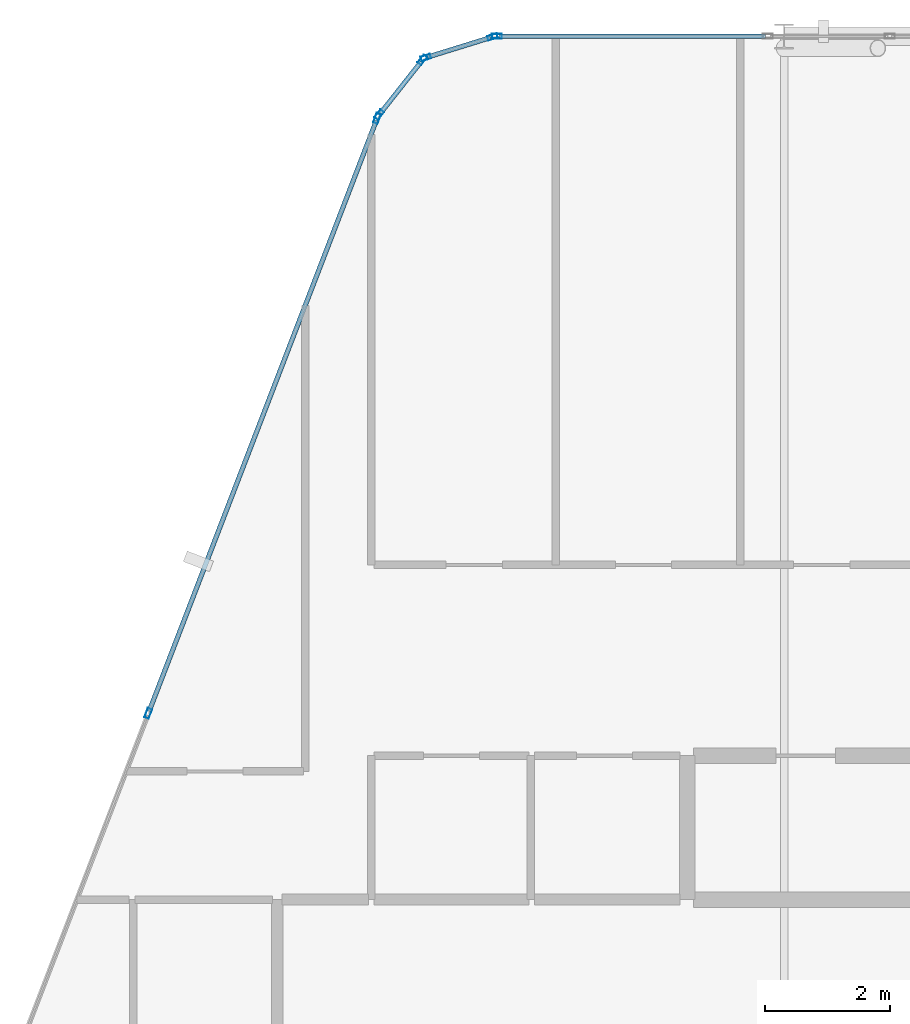
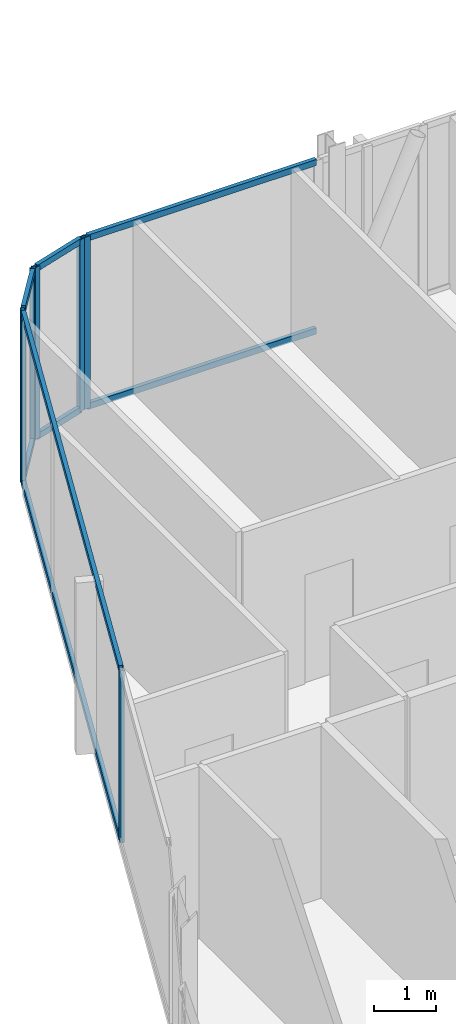
# One storey, part 15 of 27: 15 members, 4 elements without a shape of their own.
"""IFC4 building model written with IfcOpenShell, lengths in metres."""

import ifcopenshell
import ifcopenshell.guid

model = None  # the IFC model being written
_history = None  # IfcOwnerHistory: only IFC2X3 demands one
_inside = {}  # id of a spatial element -> (the spatial element, [elements in it])
_under = {}  # id of a project, library or spatial element -> (it, [spatial elements below it])
_declared = {}  # id of a project -> (the project, [libraries it declares])
_typed = {}  # id of a type object -> (the type object, [elements of that type])
_made_of = {}  # id of a material, layer set ... -> (it, [elements and type objects made of it])


def new_model(schema):
    """Start an empty IFC model of exactly this schema.

    Asked for "IFC4X3", IfcOpenShell would pick the latest addendum, in which some entities
    have other attributes; the version numbers below select the first issue.
    IFC2X3 requires an IfcOwnerHistory on every rooted entity: one is made here for all.
    """
    global model, _history
    if schema == "IFC4X3":
        model = ifcopenshell.file(schema_version=(4, 3, 0, 0))
    else:
        model = ifcopenshell.file(schema=schema)
    _inside.clear()
    _under.clear()
    _declared.clear()
    _typed.clear()
    _made_of.clear()
    _history = None
    if model.schema == "IFC2X3":
        org = make("IfcOrganization", Name="unknown")
        user = make(
            "IfcPersonAndOrganization",
            ThePerson=make("IfcPerson", FamilyName="unknown"),
            TheOrganization=org,
        )
        app = make(
            "IfcApplication",
            ApplicationDeveloper=org,
            Version="unknown",
            ApplicationFullName="unknown",
            ApplicationIdentifier="unknown",
        )
        _history = make(
            "IfcOwnerHistory",
            OwningUser=user,
            OwningApplication=app,
            ChangeAction="ADDED",
            CreationDate=0,
        )
    return model


def make(cls, **values):
    """One entity of the class cls with the attributes given. An attribute that is None is left unset."""
    return model.create_entity(
        cls, **{name: value for name, value in values.items() if value is not None}
    )


def rooted(cls, **values):
    """An entity with a GlobalId (a new one), such as an element, a storey or a relation."""
    return make(cls, GlobalId=ifcopenshell.guid.new(), OwnerHistory=_history, **values)


def si_unit(unit_type, name, prefix=None):
    """IfcSIUnit, for example si_unit("LENGTHUNIT", "METRE", prefix="MILLI")."""
    return make("IfcSIUnit", UnitType=unit_type, Prefix=prefix, Name=name)


def assignment(units):
    """IfcUnitAssignment: the units of a project."""
    return None if units is None else make("IfcUnitAssignment", Units=units)


def point(xyz):
    """IfcCartesianPoint."""
    return None if xyz is None else make("IfcCartesianPoint", Coordinates=xyz)


def direction(xyz):
    """IfcDirection."""
    return None if xyz is None else make("IfcDirection", DirectionRatios=xyz)


def frame(location, z_axis=None, x_axis=None):
    """IfcAxis2Placement3D, a coordinate frame: its origin and axes. An axis left out is left unset."""
    return make(
        "IfcAxis2Placement3D",
        Location=point(location),
        Axis=direction(z_axis),
        RefDirection=direction(x_axis),
    )


def frame_2d(location, x_axis=None):
    """IfcAxis2Placement2D, a coordinate frame in the plane: its origin and x axis."""
    return make(
        "IfcAxis2Placement2D", Location=point(location), RefDirection=direction(x_axis)
    )


def origin():
    """The frame at (0, 0, 0) with its axes left unset."""
    return frame((0.0, 0.0, 0.0))


def origin_2d():
    """The frame at (0, 0) in the plane with its x axis left unset."""
    return frame_2d((0.0, 0.0))


def place(relative_to, where):
    """IfcLocalPlacement: puts the frame where relative to a parent placement (None: the world)."""
    return make(
        "IfcLocalPlacement", PlacementRelTo=relative_to, RelativePlacement=where
    )


def context(
    kind, dimensions, precision=None, world=None, true_north=None, identifier=None
):
    """IfcGeometricRepresentationContext, for example the 3D "Model" context."""
    return make(
        "IfcGeometricRepresentationContext",
        ContextIdentifier=identifier,
        ContextType=kind,
        CoordinateSpaceDimension=dimensions,
        Precision=precision,
        WorldCoordinateSystem=world,
        TrueNorth=true_north,
    )


def subcontext(parent, identifier, kind, view, scale=None):
    """IfcGeometricRepresentationSubContext, for example "Body" below "Model"."""
    return make(
        "IfcGeometricRepresentationSubContext",
        ContextIdentifier=identifier,
        ContextType=kind,
        ParentContext=parent,
        TargetScale=scale,
        TargetView=view,
    )


def project(units=None, contexts=None):
    """IfcProject with its units and contexts."""
    return rooted(
        "IfcProject",
        Name="project",
        RepresentationContexts=contexts,
        UnitsInContext=assignment(units),
    )


def spatial(cls, under=None, at=None, **own):
    """A site, building, storey or space (cls), placed at a placement, below another one or the project."""
    s = rooted(cls, ObjectPlacement=at, **own)
    if under is not None:
        _under.setdefault(under.id(), (under, []))[1].append(s)
    return s


def profile(cls, at=None, kind="AREA", **sizes):
    """A parametric profile (cls). Its sizes go by their IFC names, for example OverallWidth=200.0."""
    return make(cls, ProfileType=kind, Position=at, **sizes)


def hollow_rectangle(**sizes):
    """IfcRectangleHollowProfileDef."""
    return profile("IfcRectangleHollowProfileDef", **sizes)


def extrude(swept, where, along, depth):
    """IfcExtrudedAreaSolid: the profile swept, set in the frame where, extruded along a direction by depth."""
    return make(
        "IfcExtrudedAreaSolid",
        SweptArea=swept,
        Position=where,
        ExtrudedDirection=direction(along),
        Depth=depth,
    )


def shape(context_of_items, identifier, shape_type, items):
    """IfcShapeRepresentation: the items that make up one representation, for example the "Body"."""
    return make(
        "IfcShapeRepresentation",
        ContextOfItems=context_of_items,
        RepresentationIdentifier=identifier,
        RepresentationType=shape_type,
        Items=items,
    )


def material(Name=None, Category=None):
    """IfcMaterial."""
    return make("IfcMaterial", Name=Name, Category=Category)


def layer(
    of_material, thickness, ventilated=None, Name=None, Category=None, Priority=None
):
    """IfcMaterialLayer: one layer of a wall or slab, of a material (None: an air gap)."""
    return make(
        "IfcMaterialLayer",
        Material=of_material,
        LayerThickness=thickness,
        IsVentilated=ventilated,
        Name=Name,
        Category=Category,
        Priority=Priority,
    )


def layer_set(layers, Name=None):
    """IfcMaterialLayerSet."""
    return make("IfcMaterialLayerSet", MaterialLayers=layers, LayerSetName=Name)


def material_profile(
    of_material, cross_section, Name=None, Category=None, Priority=None
):
    """IfcMaterialProfile: a cross section and its material."""
    return make(
        "IfcMaterialProfile",
        Name=Name,
        Material=of_material,
        Profile=cross_section,
        Priority=Priority,
        Category=Category,
    )


def profile_set(profiles, Name=None, composite=None):
    """IfcMaterialProfileSet."""
    return make(
        "IfcMaterialProfileSet",
        Name=Name,
        MaterialProfiles=profiles,
        CompositeProfile=composite,
    )


def made_of(thing, what):
    """Note that an element or type object is made of a material, layer set ...; save() writes the relation."""
    if what is not None:
        _made_of.setdefault(what.id(), (what, []))[1].append(thing)
    return thing


def type_object(cls, material=None, **own):
    """A type object (cls), such as IfcWallType, which elements share."""
    return made_of(rooted(cls, **own), material)


def element(
    cls,
    number,
    at=None,
    inside=None,
    cuts=None,
    type_object=None,
    material=None,
    context=None,
    identifier="Body",
    shape_type=None,
    held_by="IfcProductDefinitionShape",
    body=None,
    shapes=None,
    **own,
):
    """One element of the class cls, such as IfcWall. Its Tag is "e" and its number.

    at: its placement. inside: the storey or other place that contains it. cuts: it is an
    opening in that element (IfcRelVoidsElement). A single representation is given by context,
    identifier, shape_type and body (its items); several are given by shapes. held_by: the class
    of the entity that holds the representations. save() writes the other relations.
    """
    e = rooted(cls, Tag="e%d" % number, ObjectPlacement=at, **own)
    if body is not None:
        shapes = [shape(context, identifier, shape_type, body)]
    if shapes is not None:
        e.Representation = make(held_by, Representations=shapes)
    if inside is not None:
        _inside.setdefault(inside.id(), (inside, []))[1].append(e)
    if cuts is not None:
        rooted(
            "IfcRelVoidsElement", RelatingBuildingElement=cuts, RelatedOpeningElement=e
        )
    if type_object is not None:
        _typed.setdefault(type_object.id(), (type_object, []))[1].append(e)
    return made_of(e, material)


def aggregate(whole, parts):
    """IfcRelAggregates: a whole, such as a stair, and the parts it consists of."""
    return rooted("IfcRelAggregates", RelatingObject=whole, RelatedObjects=parts)


def save(model, path):
    """Write the relations noted so far, then the file.

    IfcRelAggregates (storeys below a building ...), IfcRelContainedInSpatialStructure (elements
    in a storey), IfcRelDefinesByType, IfcRelAssociatesMaterial and IfcRelDeclares: one each for
    every whole, place, type object, material and project.
    """
    for whole, parts in _under.values():
        aggregate(whole, parts)
    for where, things in _inside.values():
        rooted(
            "IfcRelContainedInSpatialStructure",
            RelatedElements=things,
            RelatingStructure=where,
        )
    for kind, things in _typed.values():
        rooted("IfcRelDefinesByType", RelatedObjects=things, RelatingType=kind)
    for what, things in _made_of.values():
        rooted("IfcRelAssociatesMaterial", RelatedObjects=things, RelatingMaterial=what)
    for by, libraries in _declared.values():
        rooted("IfcRelDeclares", RelatingContext=by, RelatedDefinitions=libraries)
    model.write(path)


model = new_model("IFC4")

# Units and contexts
model_context = context("Model", 3, precision=1e-05, world=origin(), true_north=direction((0.0, 1.0)))
body_context = subcontext(model_context, "Body", "Model", "MODEL_VIEW")
ifc_project = project(units=[si_unit("LENGTHUNIT", "METRE"), si_unit("AREAUNIT", "SQUARE_METRE"), si_unit("VOLUMEUNIT", "CUBIC_METRE"), si_unit("PLANEANGLEUNIT", "RADIAN"), si_unit("MASSUNIT", "GRAM", prefix="KILO")], contexts=[model_context])

# Site, building, storey
site_placement = place(None, origin())
site = spatial("IfcSite", under=ifc_project, at=site_placement, CompositionType="ELEMENT")
building_placement = place(site_placement, origin())
building = spatial("IfcBuilding", under=site, at=building_placement, Name="Keshet Zoharim Tower", CompositionType="ELEMENT")
storey_placement = place(building_placement, frame((0.0, 0.0, 273.199951171875)))
storey = spatial("IfcBuildingStorey", under=building, at=storey_placement, Name="L68", CompositionType="ELEMENT", Elevation=273.199951171875)

# Curtain wall, members
ifc_material = material(Name="Aluminium 6063-T6", Category="aluminium")
ifc_layer = layer(ifc_material, 0.260009765625)
ifc_layer_set = layer_set([ifc_layer], Name="Aluminium 6063-T6")
curtain_wall_type = type_object("IfcCurtainWallType", Name="CW-SYS-06", PredefinedType="NOTDEFINED", material=ifc_layer_set)
curtain_wall_1_placement = place(storey_placement, origin())
curtain_wall_1 = element("IfcCurtainWall", 1, at=curtain_wall_1_placement, inside=storey, type_object=curtain_wall_type, Name="L68 Unitised Curtain Wall 03", PredefinedType="NOTDEFINED")
ifc_material_profile_1 = material_profile(ifc_material, hollow_rectangle(XDim=0.074951171875, YDim=0.159912109375, WallThickness=0.00390625, at=origin_2d()), Name="MUL-75x160")
ifc_profile_set_1 = profile_set([ifc_material_profile_1], Name="Aluminium 6063-T6")
member_type_1 = type_object("IfcMemberType", Name="CWM-M15", PredefinedType="MULLION", material=ifc_profile_set_1)
member_1_placement = place(storey_placement, frame((10.8369140625, 43.076416015625, 0.0), z_axis=(0.0, 0.0, 1.0), x_axis=(-0.933341404361, 0.358990003907, 0.0)))
member_1 = element("IfcMember", 2, at=member_1_placement, type_object=member_type_1, Name="CW-06 mullion 3", PredefinedType="MULLION", context=body_context, shape_type="SweptSolid", body=[
    extrude(hollow_rectangle(XDim=0.074951171875, YDim=0.159912109375, WallThickness=0.00390625, at=origin_2d()), origin(), (0.0, 0.0, 1.0), 3.39013671875),
])
member_2_placement = place(storey_placement, frame((14.494384765625, 52.58544921875, 0.0), z_axis=(0.0, 0.0, 1.0), x_axis=(-0.933341404361, 0.358990003907, 0.0)))
member_2 = element("IfcMember", 3, at=member_2_placement, type_object=member_type_1, Name="CW-06 mullion 4", PredefinedType="MULLION", context=body_context, shape_type="SweptSolid", body=[
    extrude(hollow_rectangle(XDim=0.074951171875, YDim=0.159912109375, WallThickness=0.00390625, at=origin_2d()), origin(), (0.0, 0.0, 1.0), 3.39013671875),
])

curtain_wall_2_placement = place(storey_placement, origin())
curtain_wall_2 = element("IfcCurtainWall", 4, at=curtain_wall_2_placement, inside=storey, type_object=curtain_wall_type, Name="L68 Unitised Curtain Wall 04", PredefinedType="NOTDEFINED")
member_3_placement = place(storey_placement, frame((14.528564453125, 52.6455078125, 0.0), z_axis=(0.0, 0.0, 1.0), x_axis=(-0.785292825205, 0.619124525989, 0.0)))
member_3 = element("IfcMember", 5, at=member_3_placement, type_object=member_type_1, Name="CW-06 mullion 1", PredefinedType="MULLION", context=body_context, shape_type="SweptSolid", body=[
    extrude(hollow_rectangle(XDim=0.074951171875, YDim=0.159912109375, WallThickness=0.00390625, at=origin_2d()), origin(), (0.0, 0.0, 1.0), 3.39013671875),
])
member_4_placement = place(storey_placement, frame((15.21923828125, 53.521484375, 0.0), z_axis=(0.0, 0.0, 1.0), x_axis=(-0.785292825205, 0.619124525989, 0.0)))
member_4 = element("IfcMember", 6, at=member_4_placement, type_object=member_type_1, Name="CW-06 mullion 2", PredefinedType="MULLION", context=body_context, shape_type="SweptSolid", body=[
    extrude(hollow_rectangle(XDim=0.074951171875, YDim=0.159912109375, WallThickness=0.00390625, at=origin_2d()), origin(), (0.0, 0.0, 1.0), 3.39013671875),
])

curtain_wall_3_placement = place(storey_placement, origin())
curtain_wall_3 = element("IfcCurtainWall", 7, at=curtain_wall_3_placement, inside=storey, type_object=curtain_wall_type, Name="L68 Unitised Curtain Wall 05", PredefinedType="NOTDEFINED")
member_5_placement = place(storey_placement, frame((15.2744140625, 53.559326171875, 0.0), z_axis=(0.0, 0.0, 1.0), x_axis=(-0.295921857984, 0.955212151288, 0.0)))
member_5 = element("IfcMember", 8, at=member_5_placement, type_object=member_type_1, Name="CW-06 mullion 1", PredefinedType="MULLION", context=body_context, shape_type="SweptSolid", body=[
    extrude(hollow_rectangle(XDim=0.074951171875, YDim=0.159912109375, WallThickness=0.00390625, at=origin_2d()), origin(), (0.0, 0.0, 1.0), 3.39013671875),
])
member_6_placement = place(storey_placement, frame((16.340576171875, 53.8896484375, 0.0), z_axis=(0.0, 0.0, 1.0), x_axis=(-0.295921857984, 0.955212151288, 0.0)))
member_6 = element("IfcMember", 9, at=member_6_placement, type_object=member_type_1, Name="CW-06 mullion 2", PredefinedType="MULLION", context=body_context, shape_type="SweptSolid", body=[
    extrude(hollow_rectangle(XDim=0.074951171875, YDim=0.159912109375, WallThickness=0.00390625, at=origin_2d()), origin(), (0.0, 0.0, 1.0), 3.39013671875),
])

# Curtain wall, member
curtain_wall_4_placement = place(storey_placement, origin())
curtain_wall_4 = element("IfcCurtainWall", 10, at=curtain_wall_4_placement, inside=storey, type_object=curtain_wall_type, Name="L68 Unitised Curtain Wall 06", PredefinedType="NOTDEFINED")
member_7_placement = place(storey_placement, frame((16.408935546875, 53.89990234375, 0.0), z_axis=(0.0, 0.0, 1.0), x_axis=(0.0, 1.0, 0.0)))
member_7 = element("IfcMember", 11, at=member_7_placement, type_object=member_type_1, Name="CW-06 mullion 1", PredefinedType="MULLION", context=body_context, shape_type="SweptSolid", body=[
    extrude(hollow_rectangle(XDim=0.074951171875, YDim=0.159912109375, WallThickness=0.00390625, at=origin_2d()), origin(), (0.0, 0.0, 1.0), 3.39013671875),
])

# Member
ifc_material_profile_2 = material_profile(ifc_material, hollow_rectangle(XDim=0.074951171875, YDim=0.1201171875, WallThickness=0.00390625, at=origin_2d()), Name="TRN-75x120")
ifc_profile_set_2 = profile_set([ifc_material_profile_2], Name="Aluminium 6063-T6")
member_type_2 = type_object("IfcMemberType", Name="CWT-T12", PredefinedType="USERDEFINED", material=ifc_profile_set_2)
member_8_placement = place(storey_placement, frame((10.849609375, 43.10888671875, 0.03515625), z_axis=(0.358985546764, 0.933343118694, 0.0), x_axis=(-0.933343118694, 0.358985546764, 0.0)))
member_8 = element("IfcMember", 12, at=member_8_placement, type_object=member_type_2, Name="CW-06 transom 3.1", ObjectType="TRANSOM", PredefinedType="USERDEFINED", context=body_context, shape_type="SweptSolid", body=[
    extrude(hollow_rectangle(XDim=0.074951171875, YDim=0.1201171875, WallThickness=0.00390625, at=origin_2d()), origin(), (0.0, 0.0, 1.0), 10.118408203125),
])

member_9_placement = place(storey_placement, frame((10.849609375, 43.10888671875, 3.35498046875), z_axis=(0.358985546764, 0.933343118694, 0.0), x_axis=(-0.933343118694, 0.358985546764, 0.0)))
member_9 = element("IfcMember", 13, at=member_9_placement, type_object=member_type_2, Name="CW-06 transom 3.2", ObjectType="TRANSOM", PredefinedType="USERDEFINED", context=body_context, shape_type="SweptSolid", body=[
    extrude(hollow_rectangle(XDim=0.074951171875, YDim=0.1201171875, WallThickness=0.00390625, at=origin_2d()), origin(), (0.0, 0.0, 1.0), 10.118408203125),
])

aggregate(curtain_wall_1, [member_1, member_2, member_8, member_9])

member_10_placement = place(storey_placement, frame((14.55029296875, 52.6728515625, 0.03515625), z_axis=(0.619099165969, 0.78531281837, 0.0), x_axis=(-0.78531281837, 0.619099165969, 0.0)))
member_10 = element("IfcMember", 14, at=member_10_placement, type_object=member_type_2, Name="CW-06 transom 1.1", ObjectType="TRANSOM", PredefinedType="USERDEFINED", context=body_context, shape_type="SweptSolid", body=[
    extrude(hollow_rectangle(XDim=0.074951171875, YDim=0.1201171875, WallThickness=0.00390625, at=origin_2d()), origin(), (0.0, 0.0, 1.0), 1.0458984375),
])

member_11_placement = place(storey_placement, frame((14.55029296875, 52.6728515625, 3.35498046875), z_axis=(0.619099165969, 0.78531281837, 0.0), x_axis=(-0.78531281837, 0.619099165969, 0.0)))
member_11 = element("IfcMember", 15, at=member_11_placement, type_object=member_type_2, Name="CW-06 transom 1.2", ObjectType="TRANSOM", PredefinedType="USERDEFINED", context=body_context, shape_type="SweptSolid", body=[
    extrude(hollow_rectangle(XDim=0.074951171875, YDim=0.1201171875, WallThickness=0.00390625, at=origin_2d()), origin(), (0.0, 0.0, 1.0), 1.0458984375),
])

aggregate(curtain_wall_2, [member_3, member_4, member_10, member_11])

member_12_placement = place(storey_placement, frame((15.307861328125, 53.56982421875, 0.03515625), z_axis=(0.955212093062, 0.295922045933, 0.0), x_axis=(-0.295922045933, 0.955212093062, 0.0)))
member_12 = element("IfcMember", 16, at=member_12_placement, type_object=member_type_2, Name="CW-06 transom 1.1", ObjectType="TRANSOM", PredefinedType="USERDEFINED", context=body_context, shape_type="SweptSolid", body=[
    extrude(hollow_rectangle(XDim=0.074951171875, YDim=0.1201171875, WallThickness=0.00390625, at=origin_2d()), origin(), (0.0, 0.0, 1.0), 1.046142578125),
])

member_13_placement = place(storey_placement, frame((15.307861328125, 53.56982421875, 3.35498046875), z_axis=(0.955212093062, 0.295922045933, 0.0), x_axis=(-0.295922045933, 0.955212093062, 0.0)))
member_13 = element("IfcMember", 17, at=member_13_placement, type_object=member_type_2, Name="CW-06 transom 1.2", ObjectType="TRANSOM", PredefinedType="USERDEFINED", context=body_context, shape_type="SweptSolid", body=[
    extrude(hollow_rectangle(XDim=0.074951171875, YDim=0.1201171875, WallThickness=0.00390625, at=origin_2d()), origin(), (0.0, 0.0, 1.0), 1.046142578125),
])

aggregate(curtain_wall_3, [member_5, member_6, member_12, member_13])

member_14_placement = place(storey_placement, frame((16.444091796875, 53.89990234375, 0.03515625), z_axis=(1.0, 0.0, 0.0), x_axis=(0.0, 1.0, 0.0)))
member_14 = element("IfcMember", 18, at=member_14_placement, type_object=member_type_2, Name="CW-06 transom 1.1", ObjectType="TRANSOM", PredefinedType="USERDEFINED", context=body_context, shape_type="SweptSolid", body=[
    extrude(hollow_rectangle(XDim=0.074951171875, YDim=0.1201171875, WallThickness=0.00390625, at=origin_2d()), origin(), (0.0, 0.0, 1.0), 4.260986328125),
])

member_15_placement = place(storey_placement, frame((16.444091796875, 53.89990234375, 3.35498046875), z_axis=(1.0, 0.0, 0.0), x_axis=(0.0, 1.0, 0.0)))
member_15 = element("IfcMember", 19, at=member_15_placement, type_object=member_type_2, Name="CW-06 transom 1.2", ObjectType="TRANSOM", PredefinedType="USERDEFINED", context=body_context, shape_type="SweptSolid", body=[
    extrude(hollow_rectangle(XDim=0.074951171875, YDim=0.1201171875, WallThickness=0.00390625, at=origin_2d()), origin(), (0.0, 0.0, 1.0), 4.260986328125),
])

aggregate(curtain_wall_4, [member_7, member_14, member_15])

save(model, "model.ifc")
